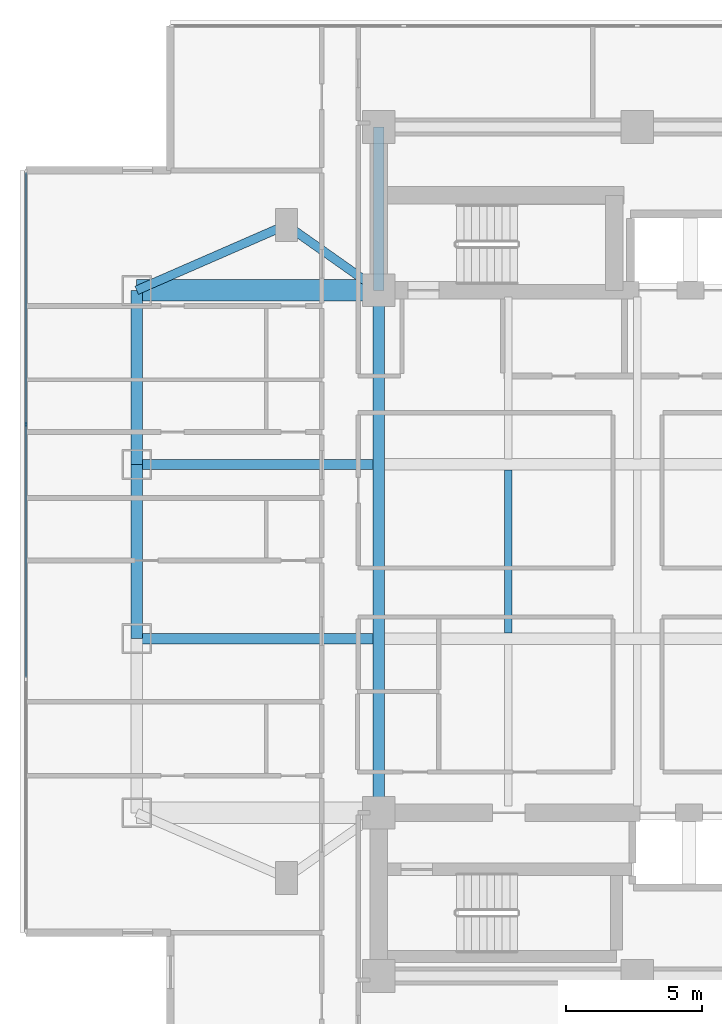
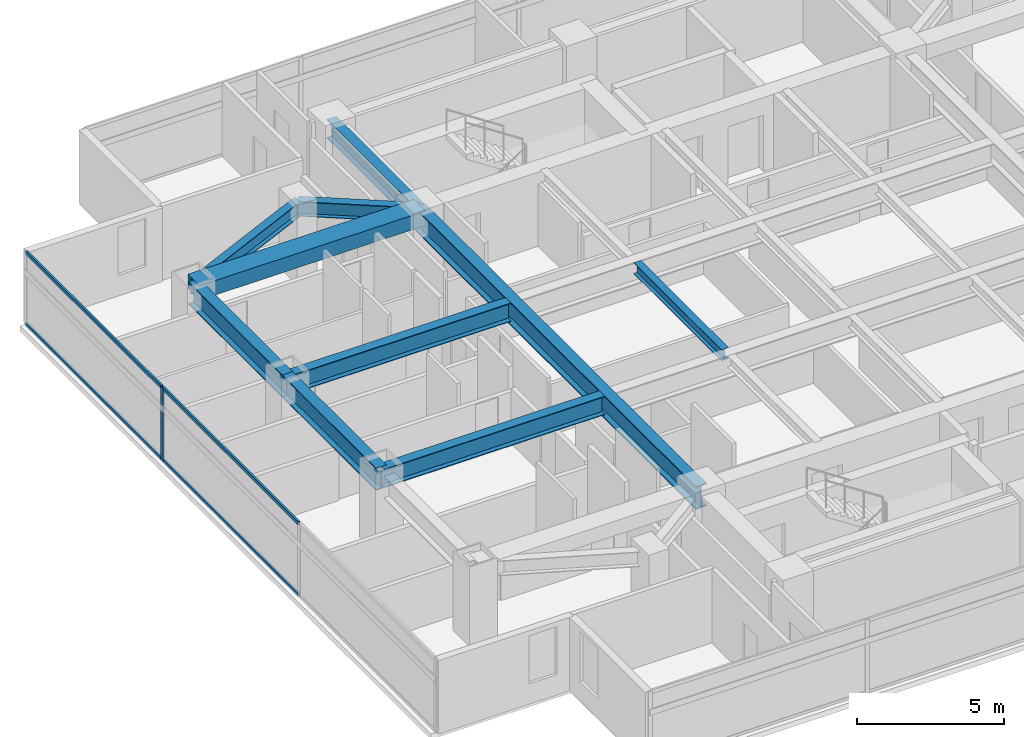
# One storey, part 3 of 26: 10 beams, 5 members, 1 element without a shape of its own.
"""IFC4 building model written with IfcOpenShell, lengths in metres."""

from ifc_helpers import new_model, si_unit, direction, frame, origin, origin_2d, place, context, subcontext, project, spatial, rectangle, i_section, extrude, material, material_profile, profile_set, type_object, element, aggregate, save


model = new_model("IFC4")

# Units and contexts
model_context = context("Model", 3, precision=1e-05, world=origin(), true_north=direction((0.0, 1.0)))
body_context = subcontext(model_context, "Body", "Model", "MODEL_VIEW")
ifc_project = project(units=[si_unit("LENGTHUNIT", "METRE"), si_unit("AREAUNIT", "SQUARE_METRE"), si_unit("VOLUMEUNIT", "CUBIC_METRE"), si_unit("PLANEANGLEUNIT", "RADIAN"), si_unit("MASSUNIT", "GRAM", prefix="KILO")], contexts=[model_context])

# Site, building, storey
site_placement = place(None, origin())
site = spatial("IfcSite", under=ifc_project, at=site_placement, CompositionType="ELEMENT")
building_placement = place(site_placement, origin())
building = spatial("IfcBuilding", under=site, at=building_placement, Name="Mirazonda Arch Towers", CompositionType="ELEMENT")
storey_placement = place(building_placement, frame((0.0, 0.0, 114.800048828125)))
storey = spatial("IfcBuildingStorey", under=building, at=storey_placement, Name="L32", CompositionType="ELEMENT", Elevation=114.800048828125)

# Beams
ifc_material_1 = material(Name="Steel ASTM A992 Grade 50", Category="steel")
ifc_material_profile_1 = material_profile(ifc_material_1, i_section(OverallWidth=0.41796875, OverallDepth=0.927001953125, WebThickness=0.019287109375, FlangeThickness=0.031982421875, at=origin_2d()), Name="W36X231")
ifc_profile_set_1 = profile_set([ifc_material_profile_1], Name="Steel ASTM A992 Grade 50")
beam_type_1 = type_object("IfcBeamType", Name="BM-EXT-W36X231", PredefinedType="USERDEFINED", material=ifc_profile_set_1)
beam_1_placement = place(storey_placement, frame((2.10009765625, 24.800048828125, 2.616455078125), z_axis=(0.0, 1.0, 0.0), x_axis=(-1.0, 0.0, 0.0)))
element("IfcBeam", 1, at=beam_1_placement, inside=storey, type_object=beam_type_1, Name="L32 Floor Beam BM-T1-L32-NS-W-24", ObjectType="GIRDER", PredefinedType="USERDEFINED", context=body_context, shape_type="SweptSolid", body=[
    extrude(i_section(OverallWidth=0.41796875, OverallDepth=0.927001953125, WebThickness=0.019287109375, FlangeThickness=0.031982421875, at=origin_2d()), origin(), (0.0, 0.0, 1.0), 6.39990234375),
])
beam_2_placement = place(storey_placement, frame((2.10009765625, 31.199951171875, 2.616455078125), z_axis=(0.0, 1.0, 0.0), x_axis=(-1.0, 0.0, 0.0)))
element("IfcBeam", 2, at=beam_2_placement, inside=storey, type_object=beam_type_1, Name="L32 Floor Beam BM-T1-L32-NS-W-31", ObjectType="GIRDER", PredefinedType="USERDEFINED", context=body_context, shape_type="SweptSolid", body=[
    extrude(i_section(OverallWidth=0.41796875, OverallDepth=0.927001953125, WebThickness=0.019287109375, FlangeThickness=0.031982421875, at=origin_2d()), origin(), (0.0, 0.0, 1.0), 6.400146484375),
])
ifc_material_profile_2 = material_profile(ifc_material_1, i_section(OverallWidth=0.280029296875, OverallDepth=0.462890625, WebThickness=0.0107421875, FlangeThickness=0.017333984375, at=origin_2d()), Name="W18X76")
ifc_profile_set_2 = profile_set([ifc_material_profile_2], Name="Steel ASTM A992 Grade 50")
beam_type_2 = type_object("IfcBeamType", Name="BM-INT-W18X76", PredefinedType="JOIST", material=ifc_profile_set_2)
beam_3_placement = place(storey_placement, frame((15.75, 25.007568359375, 2.848388671875), z_axis=(0.0, 1.0, 0.0), x_axis=(-1.0, 0.0, 0.0)))
element("IfcBeam", 3, at=beam_3_placement, inside=storey, type_object=beam_type_2, Name="L32 Floor Beam BM-T1-L32-J-157-24", PredefinedType="JOIST", context=body_context, shape_type="SweptSolid", body=[
    extrude(i_section(OverallWidth=0.280029296875, OverallDepth=0.462890625, WebThickness=0.0107421875, FlangeThickness=0.017333984375, at=origin_2d()), origin(), (0.0, 0.0, 1.0), 5.98486328125),
])
ifc_material_profile_3 = material_profile(ifc_material_1, i_section(OverallWidth=0.324951171875, OverallDepth=0.615966796875, WebThickness=0.013916015625, FlangeThickness=0.021484375, at=origin_2d()), Name="W24X117")
ifc_profile_set_3 = profile_set([ifc_material_profile_3], Name="Steel ASTM A992 Grade 50")
beam_type_3 = type_object("IfcBeamType", Name="BM-INT-W24X117", PredefinedType="BEAM", material=ifc_profile_set_3)
beam_4_placement = place(storey_placement, frame((7.60009765625, 40.0, 2.77197265625), z_axis=(0.816971114901, -0.576678591087, 0.0), x_axis=(0.576678591087, 0.816971114901, 0.0)))
element("IfcBeam", 4, at=beam_4_placement, inside=storey, type_object=beam_type_3, Name="L32 Floor Beam BM-T1-L32-PL-NW1", PredefinedType="BEAM", context=body_context, shape_type="SweptSolid", body=[
    extrude(i_section(OverallWidth=0.324951171875, OverallDepth=0.615966796875, WebThickness=0.013916015625, FlangeThickness=0.021484375, at=origin_2d()), origin(), (0.0, 0.0, 1.0), 4.16162109375),
])
beam_5_placement = place(storey_placement, frame((7.60009765625, 40.0, 2.77197265625), z_axis=(-0.916545343703, -0.399930785183, 0.0), x_axis=(0.399930785183, -0.916545343703, 0.0)))
element("IfcBeam", 5, at=beam_5_placement, inside=storey, type_object=beam_type_3, Name="L32 Floor Beam BM-T1-L32-PL-NW2", PredefinedType="BEAM", context=body_context, shape_type="SweptSolid", body=[
    extrude(i_section(OverallWidth=0.324951171875, OverallDepth=0.615966796875, WebThickness=0.013916015625, FlangeThickness=0.021484375, at=origin_2d()), origin(), (0.0, 0.0, 1.0), 6.000732421875),
])
ifc_material_profile_4 = material_profile(ifc_material_1, i_section(OverallWidth=0.381103515625, OverallDepth=0.77294921875, WebThickness=0.0166015625, FlangeThickness=0.027099609375, at=origin_2d()), Name="W30X173")
ifc_profile_set_4 = profile_set([ifc_material_profile_4], Name="Steel ASTM A992 Grade 50")
beam_type_4 = type_object("IfcBeamType", Name="BM-INT-W30X173", PredefinedType="USERDEFINED", material=ifc_profile_set_4)
for number, where, z_axis, x_axis, name in (
    (6, (2.10009765625, 24.800048828125, 2.693359375), (1.0, 0.0, 0.0), (0.0, 1.0, 0.0), "L32 Floor Beam BM-T1-L32-GW2"),
    (7, (2.10009765625, 31.199951171875, 2.693359375), (1.0, 0.0, 0.0), (0.0, 1.0, 0.0), "L32 Floor Beam BM-T1-L32-GW3"),
):
    element("IfcBeam", number, at=place(storey_placement, frame(where, z_axis=z_axis, x_axis=x_axis)), inside=storey, type_object=beam_type_4, Name=name, ObjectType="GIRDER", PredefinedType="USERDEFINED", context=body_context, shape_type="SweptSolid", body=[
        extrude(i_section(OverallWidth=0.381103515625, OverallDepth=0.77294921875, WebThickness=0.0166015625, FlangeThickness=0.027099609375, at=origin_2d()), origin(), (0.0, 0.0, 1.0), 8.6884765625),
    ])
beam_6_placement = place(storey_placement, frame((11.0, 37.60009765625, 2.693359375), z_axis=(0.0, 1.0, 0.0), x_axis=(-1.0, 0.0, 0.0)))
element("IfcBeam", 8, at=beam_6_placement, inside=storey, type_object=beam_type_4, Name="L32 Floor Beam BM-T1-L32-CNW", ObjectType="GIRDER", PredefinedType="USERDEFINED", context=body_context, shape_type="SweptSolid", body=[
    extrude(i_section(OverallWidth=0.381103515625, OverallDepth=0.77294921875, WebThickness=0.0166015625, FlangeThickness=0.027099609375, at=origin_2d()), origin(), (0.0, 0.0, 1.0), 6.0),
])
ifc_material_profile_5 = material_profile(ifc_material_1, i_section(OverallWidth=0.423095703125, OverallDepth=0.947998046875, WebThickness=0.02392578125, FlangeThickness=0.042724609375, at=origin_2d()), Name="W36X302")
ifc_profile_set_5 = profile_set([ifc_material_profile_5], Name="Steel ASTM A992 Grade 50")
beam_type_5 = type_object("IfcBeamType", Name="BM-INT-W36X302", PredefinedType="USERDEFINED", material=ifc_profile_set_5)
beam_7_placement = place(storey_placement, frame((11.0, 18.39990234375, 2.60595703125), z_axis=(0.0, 1.0, 0.0), x_axis=(-1.0, 0.0, 0.0)))
element("IfcBeam", 9, at=beam_7_placement, inside=storey, type_object=beam_type_5, Name="L32 Floor Beam BM-T1-L32-NS-CW-FULL", ObjectType="GIRDER", PredefinedType="USERDEFINED", context=body_context, shape_type="SweptSolid", body=[
    extrude(i_section(OverallWidth=0.423095703125, OverallDepth=0.947998046875, WebThickness=0.02392578125, FlangeThickness=0.042724609375, at=origin_2d()), origin(), (0.0, 0.0, 1.0), 19.2001953125),
])
ifc_material_2 = material(Name="Concrete C60/75", Category="concrete")
ifc_material_profile_6 = material_profile(ifc_material_2, rectangle(XDim=0.800048828125, YDim=0.60009765625, at=origin_2d()), Name="RCCB800x600")
ifc_profile_set_6 = profile_set([ifc_material_profile_6], Name="Concrete C60/75")
beam_type_6 = type_object("IfcBeamType", Name="CB-INT-RCCB800x600", PredefinedType="SPANDREL", material=ifc_profile_set_6)
beam_8_placement = place(storey_placement, frame((2.10009765625, 37.60009765625, 2.780029296875), z_axis=(1.0, 0.0, 0.0), x_axis=(0.0, 1.0, 0.0)))
element("IfcBeam", 10, at=beam_8_placement, inside=storey, type_object=beam_type_6, Name="L32 Floor Beam CBC-T1-L32-NW", PredefinedType="SPANDREL", context=body_context, shape_type="SweptSolid", body=[
    extrude(rectangle(XDim=0.800048828125, YDim=0.60009765625, at=origin_2d()), origin(), (0.0, 0.0, 1.0), 8.89990234375),
])

# Curtain wall, members
ifc_material_3 = material(Name="Anodised Aluminium and Low-E Glass", Category="aluminium")
curtain_wall_type = type_object("IfcCurtainWallType", Name="CW-HTL-UNIT", PredefinedType="NOTDEFINED", material=ifc_material_3)
curtain_wall_placement = place(storey_placement, origin())
curtain_wall = element("IfcCurtainWall", 11, at=curtain_wall_placement, inside=storey, type_object=curtain_wall_type, Name="L32 T1 W Facade CW-L32-T1-W", PredefinedType="NOTDEFINED")
ifc_material_4 = material(Name="Anodised Aluminium Alloy", Category="aluminium")
ifc_material_profile_7 = material_profile(ifc_material_4, rectangle(XDim=0.074951171875, YDim=0.1650390625, at=origin_2d()), Name="ALU-MULL-75x165")
ifc_profile_set_7 = profile_set([ifc_material_profile_7], Name="Anodised Aluminium Alloy")
member_type_1 = type_object("IfcMemberType", Name="MULL-CW-HTL-UNIT", PredefinedType="MULLION", material=ifc_profile_set_7)
member_1_placement = place(storey_placement, frame((-1.969970703125, 32.669677734375, 0.0), z_axis=(0.0, 0.0, 1.0), x_axis=(1.0, 0.0, 0.0)))
member_1 = element("IfcMember", 12, at=member_1_placement, type_object=member_type_1, Name="CW-112 mullion 2", PredefinedType="MULLION", context=body_context, shape_type="SweptSolid", body=[
    extrude(rectangle(XDim=0.074951171875, YDim=0.1650390625, at=origin_2d()), origin(), (0.0, 0.0, 1.0), 3.06005859375),
])
ifc_material_profile_8 = material_profile(ifc_material_4, rectangle(XDim=0.074951171875, YDim=0.14501953125, at=origin_2d()), Name="ALU-TRAN-75x145")
ifc_profile_set_8 = profile_set([ifc_material_profile_8], Name="Anodised Aluminium Alloy")
member_type_2 = type_object("IfcMemberType", Name="TRAN-CW-HTL-UNIT", PredefinedType="USERDEFINED", material=ifc_profile_set_8)
member_2_placement = place(storey_placement, frame((-1.969970703125, 41.93408203125, 0.037353515625), z_axis=(0.0, -1.0, 0.0), x_axis=(1.0, 0.0, 0.0)))
member_2 = element("IfcMember", 13, at=member_2_placement, type_object=member_type_2, Name="CW-112 transom 1.1", ObjectType="TRANSOM", PredefinedType="USERDEFINED", context=body_context, shape_type="SweptSolid", body=[
    extrude(rectangle(XDim=0.074951171875, YDim=0.14501953125, at=origin_2d()), origin(), (0.0, 0.0, 1.0), 9.226806640625),
])
member_3_placement = place(storey_placement, frame((-1.969970703125, 41.93408203125, 3.0224609375), z_axis=(0.0, -1.0, 0.0), x_axis=(1.0, 0.0, 0.0)))
member_3 = element("IfcMember", 14, at=member_3_placement, type_object=member_type_2, Name="CW-112 transom 1.2", ObjectType="TRANSOM", PredefinedType="USERDEFINED", context=body_context, shape_type="SweptSolid", body=[
    extrude(rectangle(XDim=0.074951171875, YDim=0.14501953125, at=origin_2d()), origin(), (0.0, 0.0, 1.0), 9.226806640625),
])
member_4_placement = place(storey_placement, frame((-1.969970703125, 32.632080078125, 0.037353515625), z_axis=(0.0, -1.0, 0.0), x_axis=(1.0, 0.0, 0.0)))
member_4 = element("IfcMember", 15, at=member_4_placement, type_object=member_type_2, Name="CW-112 transom 2.1", ObjectType="TRANSOM", PredefinedType="USERDEFINED", context=body_context, shape_type="SweptSolid", body=[
    extrude(rectangle(XDim=0.074951171875, YDim=0.14501953125, at=origin_2d()), origin(), (0.0, 0.0, 1.0), 9.26416015625),
])
member_5_placement = place(storey_placement, frame((-1.969970703125, 32.632080078125, 3.0224609375), z_axis=(0.0, -1.0, 0.0), x_axis=(1.0, 0.0, 0.0)))
member_5 = element("IfcMember", 16, at=member_5_placement, type_object=member_type_2, Name="CW-112 transom 2.2", ObjectType="TRANSOM", PredefinedType="USERDEFINED", context=body_context, shape_type="SweptSolid", body=[
    extrude(rectangle(XDim=0.074951171875, YDim=0.14501953125, at=origin_2d()), origin(), (0.0, 0.0, 1.0), 9.26416015625),
])
aggregate(curtain_wall, [member_1, member_2, member_3, member_4, member_5])

save(model, "model.ifc")
